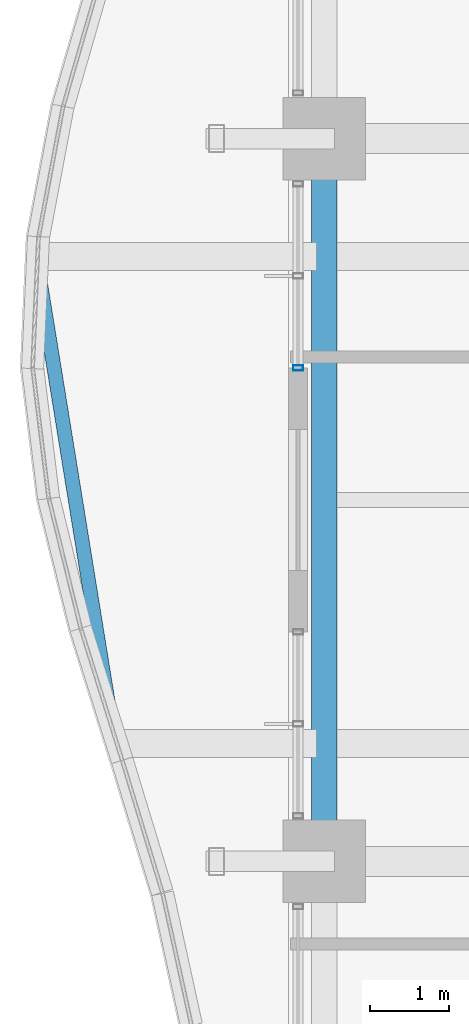
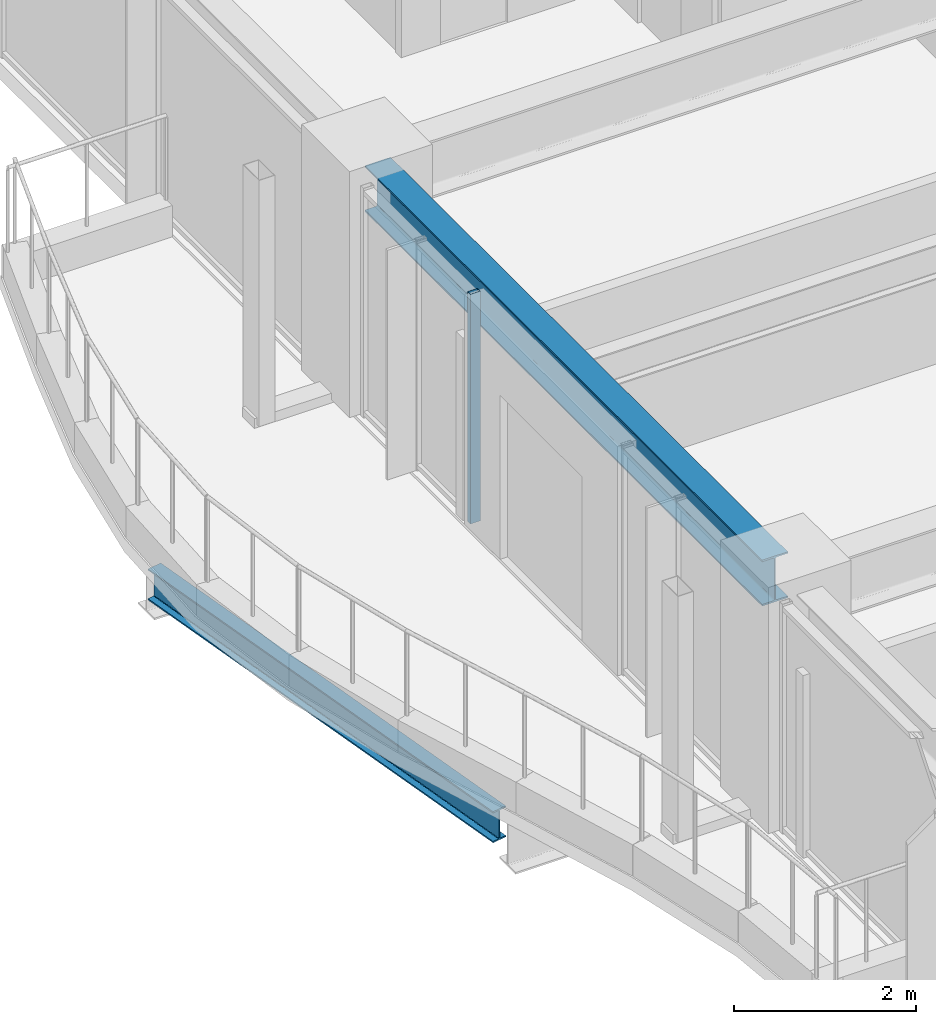
# One storey, part 9 of 38: 2 beams, 1 member, 1 element without a shape of its own.
"""IFC4 building model written with IfcOpenShell, lengths in metres."""

from ifc_helpers import new_model, si_unit, direction, frame, origin, origin_2d, place, context, subcontext, project, spatial, hollow_rectangle, i_section, extrude, material, material_profile, profile_set, type_object, element, aggregate, save


model = new_model("IFC4")

# Units and contexts
model_context = context("Model", 3, precision=1e-05, world=origin(), true_north=direction((0.0, 1.0)))
body_context = subcontext(model_context, "Body", "Model", "MODEL_VIEW")
ifc_project = project(units=[si_unit("LENGTHUNIT", "METRE"), si_unit("AREAUNIT", "SQUARE_METRE"), si_unit("VOLUMEUNIT", "CUBIC_METRE"), si_unit("PLANEANGLEUNIT", "RADIAN"), si_unit("MASSUNIT", "GRAM", prefix="KILO")], contexts=[model_context])

# Site, building, storey
site_placement = place(None, origin())
site = spatial("IfcSite", under=ifc_project, at=site_placement, CompositionType="ELEMENT")
building_placement = place(site_placement, origin())
building = spatial("IfcBuilding", under=site, at=building_placement, Name="Kolvaren Belvedere", CompositionType="ELEMENT")
storey_placement = place(building_placement, frame((0.0, 0.0, 121.699951171875)))
storey = spatial("IfcBuildingStorey", under=building, at=storey_placement, Name="L35", CompositionType="ELEMENT", Elevation=121.699951171875)

# Beams
ifc_material_1 = material(Name="Structural steel ASTM A992 Grade 50", Category="steel")
ifc_material_profile_1 = material_profile(ifc_material_1, i_section(OverallWidth=0.180908203125, OverallDepth=0.4169921875, WebThickness=0.010986328125, FlangeThickness=0.018310546875, FilletRadius=0.013916015625, at=origin_2d()), Name="W16X57")
ifc_profile_set_1 = profile_set([ifc_material_profile_1], Name="Structural steel ASTM A992 Grade 50")
beam_type_1 = type_object("IfcBeamType", Name="BM-EDGE-W16X57", PredefinedType="BEAM", material=ifc_profile_set_1)
beam_1_placement = place(storey_placement, frame((-21.336181640625, -2.9619140625, -0.428466796875), z_axis=(-0.159567567211, 0.987187009383, 0.0), x_axis=(-0.987187009383, -0.159567567211, 0.0)))
element("IfcBeam", 1, at=beam_1_placement, inside=storey, type_object=beam_type_1, Name="L35 Balcony Tip Header Beam BAL-W", PredefinedType="BEAM", context=body_context, shape_type="SweptSolid", body=[
    extrude(i_section(OverallWidth=0.180908203125, OverallDepth=0.4169921875, WebThickness=0.010986328125, FlangeThickness=0.018310546875, FilletRadius=0.013916015625, at=origin_2d()), origin(), (0.0, 0.0, 1.0), 6.000732421875),
])
ifc_material_2 = material(Name="Structural steel ASTM A992 Grade 50", Category="steel")
ifc_material_profile_2 = material_profile(ifc_material_2, i_section(OverallWidth=0.324951171875, OverallDepth=0.615966796875, WebThickness=0.013916015625, FlangeThickness=0.021484375, FilletRadius=0.02001953125, at=origin_2d()), Name="W24X117")
ifc_profile_set_2 = profile_set([ifc_material_profile_2], Name="Structural steel ASTM A992 Grade 50")
beam_type_2 = type_object("IfcBeamType", Name="BM-SPAN-W24X117", PredefinedType="SPANDREL", material=ifc_profile_set_2)
beam_2_placement = place(storey_placement, frame((-18.64990234375, 4.36376953125, 2.77197265625), z_axis=(0.0, -1.0, 0.0), x_axis=(1.0, 0.0, 0.0)))
element("IfcBeam", 2, at=beam_2_placement, inside=storey, type_object=beam_type_2, Name="L35 Perimeter Spandrel W3-W2", PredefinedType="SPANDREL", context=body_context, shape_type="SweptSolid", body=[
    extrude(i_section(OverallWidth=0.324951171875, OverallDepth=0.615966796875, WebThickness=0.013916015625, FlangeThickness=0.021484375, FilletRadius=0.02001953125, at=origin_2d()), origin(), (0.0, 0.0, 1.0), 8.7275390625),
])

# Curtain wall, member
ifc_material_3 = material(Name="Anodised pale-metal aluminium AA 6063-T6", Category="aluminium")
curtain_wall_type = type_object("IfcCurtainWallType", Name="CW-Z3-WAIST", PredefinedType="NOTDEFINED", material=ifc_material_3)
curtain_wall_placement = place(storey_placement, origin())
curtain_wall = element("IfcCurtainWall", 3, at=curtain_wall_placement, inside=storey, type_object=curtain_wall_type, Name="L35 Unitised Curtain Wall FCW-L35-W2-B1", PredefinedType="NOTDEFINED")
ifc_material_4 = material(Name="Anodised pale-metal aluminium AA 6063-T6", Category="aluminium")
ifc_material_profile_3 = material_profile(ifc_material_4, hollow_rectangle(XDim=0.06494140625, YDim=0.1298828125, WallThickness=0.00390625, at=origin_2d()), Name="ALU-MUL-130X65")
ifc_profile_set_3 = profile_set([ifc_material_profile_3], Name="Anodised pale-metal aluminium AA 6063-T6")
member_type = type_object("IfcMemberType", Name="CW-MUL-130", PredefinedType="MULLION", material=ifc_profile_set_3)
member_placement = place(storey_placement, frame((-18.97998046875, 1.679931640625, 0.0), z_axis=(0.0, 0.0, 1.0), x_axis=(0.0, 1.0, 0.0)))
member = element("IfcMember", 4, at=member_placement, type_object=member_type, Name="FCW-L35-W2-B1 Unitised Mullion 1", PredefinedType="MULLION", context=body_context, shape_type="SweptSolid", body=[
    extrude(hollow_rectangle(XDim=0.06494140625, YDim=0.1298828125, WallThickness=0.00390625, at=origin_2d()), origin(), (0.0, 0.0, 1.0), 3.080078125),
])
aggregate(curtain_wall, [member])

save(model, "model.ifc")
